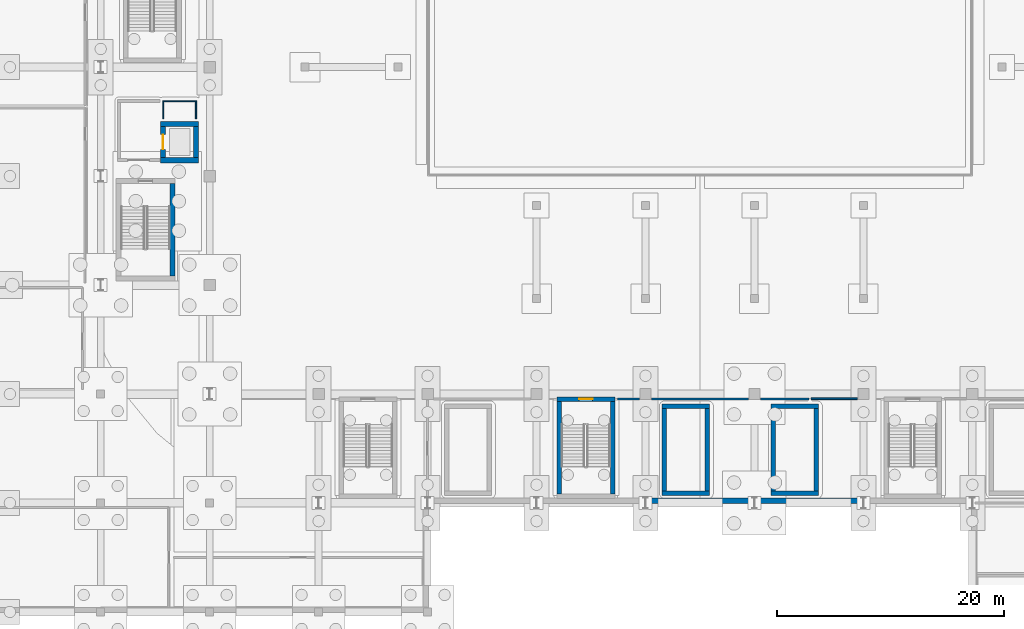
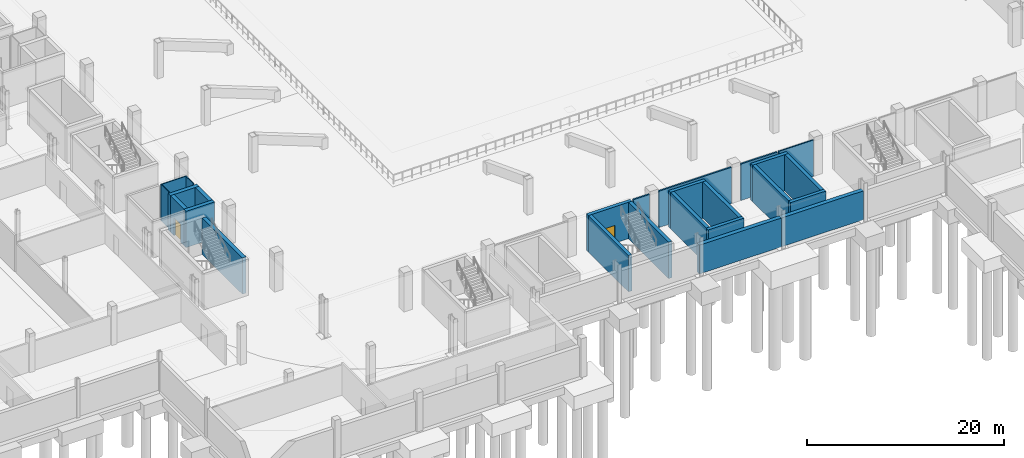
# One storey, part 28 of 67: 25 walls, 2 doors, 2 openings.
"""IFC4 building model written with IfcOpenShell, lengths in metres."""

from ifc_helpers import new_model, si_unit, direction, frame, frame_2d, origin, place, context, subcontext, project, spatial, rectangle, extrude, material, layer, layer_set, type_object, element, fill, save


model = new_model("IFC4")

# Units and contexts
model_context = context("Model", 3, precision=1e-05, world=origin(), true_north=direction((0.0, 1.0)))
body_context = subcontext(model_context, "Body", "Model", "MODEL_VIEW")
ifc_project = project(units=[si_unit("LENGTHUNIT", "METRE"), si_unit("AREAUNIT", "SQUARE_METRE"), si_unit("VOLUMEUNIT", "CUBIC_METRE"), si_unit("PLANEANGLEUNIT", "RADIAN"), si_unit("MASSUNIT", "GRAM", prefix="KILO")], contexts=[model_context])

# Site, building, storey
site_placement = place(None, origin())
site = spatial("IfcSite", under=ifc_project, at=site_placement, CompositionType="ELEMENT")
building_placement = place(site_placement, origin())
building = spatial("IfcBuilding", under=site, at=building_placement, Name="Caelomonte Colonnade Arena", CompositionType="ELEMENT")
storey_placement = place(building_placement, frame((0.0, 0.0, -4.800048828125)))
storey = spatial("IfcBuildingStorey", under=building, at=storey_placement, Name="B1", CompositionType="ELEMENT", Elevation=-4.800048828125)

# Walls
ifc_material_1 = material(Name="Concrete C40/50", Category="concrete")
ifc_layer_1 = layer(ifc_material_1, 0.47998046875)
ifc_layer_set_1 = layer_set([ifc_layer_1], Name="Concrete C40/50")
wall_type_1 = type_object("IfcWallType", Name="ENV-WL-RET48", PredefinedType="USERDEFINED", material=ifc_layer_set_1)
wall_1_placement = place(storey_placement, frame((105.60009765625, 19.3798828125, 0.0), z_axis=(0.0, 0.0, 1.0), x_axis=(1.0, 0.0, 0.0)))
element("IfcWall", 1, at=wall_1_placement, inside=storey, type_object=wall_type_1, Name="B1 exterior retaining plinth wall EW-B1-0014", ObjectType="RETAINING WALL", PredefinedType="USERDEFINED", context=body_context, shape_type="SweptSolid", body=[
    extrude(rectangle(XDim=9.599853515625, YDim=0.47998046875, at=frame_2d((4.7998046875, 0.0))), origin(), (0.0, 0.0, 1.0), 3.572998046875),
])
wall_2_placement = place(storey_placement, frame((115.199951171875, 19.3798828125, 0.0), z_axis=(0.0, 0.0, 1.0), x_axis=(1.0, 0.0, 0.0)))
element("IfcWall", 2, at=wall_2_placement, inside=storey, type_object=wall_type_1, Name="B1 exterior retaining plinth wall EW-B1-0015", ObjectType="RETAINING WALL", PredefinedType="USERDEFINED", context=body_context, shape_type="SweptSolid", body=[
    extrude(rectangle(XDim=9.60009765625, YDim=0.47998046875, at=frame_2d((4.800048828125, 0.0))), origin(), (0.0, 0.0, 1.0), 3.572998046875),
])
ifc_material_2 = material(Name="Service shaft lining partition")
ifc_layer_2 = layer(ifc_material_2, 0.10009765625)
ifc_layer_set_2 = layer_set([ifc_layer_2], Name="Service shaft lining partition")
wall_type_2 = type_object("IfcWallType", Name="INT-WL-PT10", PredefinedType="PARTITIONING", material=ifc_layer_set_2)
wall_3_placement = place(storey_placement, frame((66.050048828125, 54.60009765625, 0.0), z_axis=(0.0, 0.0, 1.0), x_axis=(-1.0, 0.0, 0.0)))
element("IfcWall", 3, at=wall_3_placement, inside=storey, type_object=wall_type_2, Name="FW-C1-RS B1 north enclosure wall", PredefinedType="PARTITIONING", context=body_context, shape_type="SweptSolid", body=[
    extrude(rectangle(XDim=3.0, YDim=0.10009765625, at=frame_2d((1.5, 0.0))), origin(), (0.0, 0.0, 1.0), 4.5),
])
for number, where, z_axis, x_axis, name in (
    (4, (63.10009765625, 54.550048828125, 0.0), (0.0, 0.0, 1.0), (0.0, -1.0, 0.0), "FW-C1-RS B1 west enclosure wall"),
    (5, (66.0, 53.050048828125, 0.0), (0.0, 0.0, 1.0), (0.0, 1.0, 0.0), "FW-C1-RS B1 east enclosure wall"),
):
    element("IfcWall", number, at=place(storey_placement, frame(where, z_axis=z_axis, x_axis=x_axis)), inside=storey, type_object=wall_type_2, Name=name, PredefinedType="PARTITIONING", context=body_context, shape_type="SweptSolid", body=[
        extrude(rectangle(XDim=1.5, YDim=0.10009765625, at=frame_2d((0.75, 0.0))), origin(), (0.0, 0.0, 1.0), 4.5),
    ])
ifc_material_3 = material(Name="Suite demising stud partition")
ifc_layer_3 = layer(ifc_material_3, 0.139892578125)
ifc_layer_set_3 = layer_set([ifc_layer_3], Name="Suite demising stud partition")
wall_type_3 = type_object("IfcWallType", Name="INT-WL-PT14", PredefinedType="PARTITIONING", material=ifc_layer_set_3)
wall_4_placement = place(storey_placement, frame((120.199951171875, 28.3798828125, 0.0), z_axis=(0.0, 0.0, 1.0), x_axis=(1.0, 0.0, 0.0)))
element("IfcWall", 6, at=wall_4_placement, inside=storey, type_object=wall_type_3, Name="B1 Officials Locker Suite partition 6", PredefinedType="PARTITIONING", context=body_context, shape_type="SweptSolid", body=[
    extrude(rectangle(XDim=4.06494140625, YDim=0.139892578125, at=frame_2d((2.032470703125, 0.0))), origin(), (0.0, 0.0, 1.0), 4.5),
])
ifc_material_4 = material(Name="Acoustic gypsum stud partition")
ifc_layer_4 = layer(ifc_material_4, 0.179931640625)
ifc_layer_set_4 = layer_set([ifc_layer_4], Name="Acoustic gypsum stud partition")
wall_type_4 = type_object("IfcWallType", Name="INT-WL-PT18", PredefinedType="PARTITIONING", material=ifc_layer_set_4)
wall_5_placement = place(storey_placement, frame((103.1484375, 28.3798828125, 0.0), z_axis=(0.0, 0.0, 1.0), x_axis=(1.0, 0.0, 0.0)))
element("IfcWall", 7, at=wall_5_placement, inside=storey, type_object=wall_type_4, Name="B1 Athlete Media Mix Zone partition 3", PredefinedType="PARTITIONING", context=body_context, shape_type="SweptSolid", body=[
    extrude(rectangle(XDim=1.91650390625, YDim=0.179931640625, at=frame_2d((0.958251953125, 0.0))), origin(), (0.0, 0.0, 1.0), 4.5),
])
wall_6_placement = place(storey_placement, frame((106.135009765625, 28.3798828125, 0.0), z_axis=(0.0, 0.0, 1.0), x_axis=(1.0, 0.0, 0.0)))
element("IfcWall", 8, at=wall_6_placement, inside=storey, type_object=wall_type_4, Name="B1 Athlete Media Mix Zone partition 4", PredefinedType="PARTITIONING", context=body_context, shape_type="SweptSolid", body=[
    extrude(rectangle(XDim=8.530029296875, YDim=0.179931640625, at=frame_2d((4.26513671875, 0.0))), origin(), (0.0, 0.0, 1.0), 4.5),
])
wall_7_placement = place(storey_placement, frame((115.735107421875, 28.3798828125, 0.0), z_axis=(0.0, 0.0, 1.0), x_axis=(1.0, 0.0, 0.0)))
element("IfcWall", 9, at=wall_7_placement, inside=storey, type_object=wall_type_4, Name="B1 Athlete Media Mix Zone partition 5", PredefinedType="PARTITIONING", context=body_context, shape_type="SweptSolid", body=[
    extrude(rectangle(XDim=4.264892578125, YDim=0.179931640625, at=frame_2d((2.13232421875, 0.0))), origin(), (0.0, 0.0, 1.0), 4.5),
])

# Wall, opening, door
ifc_material_5 = material(Name="Concrete C50/60", Category="concrete")
ifc_layer_5 = layer(ifc_material_5, 0.39990234375)
ifc_layer_set_5 = layer_set([ifc_layer_5], Name="Concrete C50/60")
wall_type_5 = type_object("IfcWallType", Name="INT-WL-SH40", PredefinedType="SHEAR", material=ifc_layer_set_5)
wall_8_placement = place(storey_placement, frame((102.89990234375, 28.35009765625, 0.0), z_axis=(0.0, 0.0, 1.0), x_axis=(-1.0, 0.0, 0.0)))
wall_8 = element("IfcWall", 10, at=wall_8_placement, inside=storey, type_object=wall_type_5, Name="CW-ST-12 B1 north enclosure wall", PredefinedType="SHEAR", context=body_context, shape_type="SweptSolid", body=[
    extrude(rectangle(XDim=5.099853515625, YDim=0.39990234375, at=frame_2d((2.5498046875, 0.0))), origin(), (0.0, 0.0, 1.0), 4.5),
])
opening_1_placement = place(wall_8_placement, frame((3.14990234375, 0.0, 0.0), z_axis=(0.0, 0.0, 1.0), x_axis=(-1.0, 0.0, 0.0)))
opening_1 = element("IfcOpeningElement", 11, at=opening_1_placement, cuts=wall_8, Name="Opening FD-1", PredefinedType="OPENING", context=body_context, shape_type="SweptSolid", body=[
    extrude(rectangle(XDim=1.199951171875, YDim=2.199951171875, at=frame_2d((0.60009765625, 1.10009765625))), frame((0.0, 0.2099609375, 0.0), z_axis=(0.0, -1.0, 0.0), x_axis=(1.0, 0.0, 0.0)), (0.0, 0.0, 1.0), 0.419921875),
])
ifc_material_6 = material(Name="Fire-rated steel door", Category="steel")
door_type_1 = type_object("IfcDoorType", Name="INT-DR-FD90A", OperationType="NOTDEFINED", PredefinedType="DOOR", material=ifc_material_6)
door_1_placement = place(opening_1_placement, origin())
door_1 = element("IfcDoor", 12, at=door_1_placement, inside=storey, type_object=door_type_1, Name="Protected exit stair ST-12 B1 fire door", OperationType="SINGLE_SWING_LEFT", OverallHeight=2.199951171875, OverallWidth=1.199951171875, PredefinedType="DOOR", context=body_context, shape_type="SweptSolid", body=[
    extrude(rectangle(XDim=1.199951171875, YDim=2.199951171875, at=frame_2d((0.60009765625, 1.10009765625))), frame((0.0, 0.02490234375, 0.0), z_axis=(0.0, -1.0, 0.0), x_axis=(1.0, 0.0, 0.0)), (0.0, 0.0, 1.0), 0.050048828125),
])
fill(opening_1, door_1)

# Walls
for number, where, z_axis, x_axis, name in (
    (13, (98.0, 28.14990234375, 0.0), (0.0, 0.0, 1.0), (0.0, -1.0, 0.0), "CW-ST-12 B1 west enclosure wall"),
    (14, (102.699951171875, 20.0, 0.0), (0.0, 0.0, 1.0), (0.0, 1.0, 0.0), "CW-ST-12 B1 east enclosure wall"),
):
    element("IfcWall", number, at=place(storey_placement, frame(where, z_axis=z_axis, x_axis=x_axis)), inside=storey, type_object=wall_type_5, Name=name, PredefinedType="SHEAR", context=body_context, shape_type="SweptSolid", body=[
        extrude(rectangle(XDim=8.14990234375, YDim=0.39990234375, at=frame_2d((4.074951171875, 0.0))), origin(), (0.0, 0.0, 1.0), 4.5),
    ])
for number, where, z_axis, x_axis, name in (
    (15, (107.070068359375, 20.070068359375, 0.0), (0.0, 0.0, 1.0), (1.0, 0.0, 0.0), "CW-ST-V02 B1 south enclosure wall"),
    (16, (111.22998046875, 27.72998046875, 0.0), (0.0, 0.0, 1.0), (-1.0, 0.0, 0.0), "CW-ST-V02 B1 north enclosure wall"),
):
    element("IfcWall", number, at=place(storey_placement, frame(where, z_axis=z_axis, x_axis=x_axis)), inside=storey, type_object=wall_type_5, Name=name, PredefinedType="SHEAR", context=body_context, shape_type="SweptSolid", body=[
        extrude(rectangle(XDim=4.159912109375, YDim=0.39990234375, at=frame_2d((2.080078125, 0.0))), origin(), (0.0, 0.0, 1.0), 4.5),
    ])
for number, where, z_axis, x_axis, name in (
    (17, (107.27001953125, 27.530029296875, 0.0), (0.0, 0.0, 1.0), (0.0, -1.0, 0.0), "CW-ST-V02 B1 west enclosure wall"),
    (18, (111.030029296875, 20.27001953125, 0.0), (0.0, 0.0, 1.0), (0.0, 1.0, 0.0), "CW-ST-V02 B1 east enclosure wall"),
):
    element("IfcWall", number, at=place(storey_placement, frame(where, z_axis=z_axis, x_axis=x_axis)), inside=storey, type_object=wall_type_5, Name=name, PredefinedType="SHEAR", context=body_context, shape_type="SweptSolid", body=[
        extrude(rectangle(XDim=7.260009765625, YDim=0.39990234375, at=frame_2d((3.6298828125, 0.0))), origin(), (0.0, 0.0, 1.0), 4.5),
    ])
for number, where, z_axis, x_axis, name in (
    (19, (116.669921875, 20.070068359375, 0.0), (0.0, 0.0, 1.0), (1.0, 0.0, 0.0), "CW-ST-V03 B1 south enclosure wall"),
    (20, (120.830078125, 27.72998046875, 0.0), (0.0, 0.0, 1.0), (-1.0, 0.0, 0.0), "CW-ST-V03 B1 north enclosure wall"),
):
    element("IfcWall", number, at=place(storey_placement, frame(where, z_axis=z_axis, x_axis=x_axis)), inside=storey, type_object=wall_type_5, Name=name, PredefinedType="SHEAR", context=body_context, shape_type="SweptSolid", body=[
        extrude(rectangle(XDim=4.16015625, YDim=0.39990234375, at=frame_2d((2.080078125, 0.0))), origin(), (0.0, 0.0, 1.0), 4.5),
    ])
for number, where, z_axis, x_axis, name in (
    (21, (116.8701171875, 27.530029296875, 0.0), (0.0, 0.0, 1.0), (0.0, -1.0, 0.0), "CW-ST-V03 B1 west enclosure wall"),
    (22, (120.6298828125, 20.27001953125, 0.0), (0.0, 0.0, 1.0), (0.0, 1.0, 0.0), "CW-ST-V03 B1 east enclosure wall"),
):
    element("IfcWall", number, at=place(storey_placement, frame(where, z_axis=z_axis, x_axis=x_axis)), inside=storey, type_object=wall_type_5, Name=name, PredefinedType="SHEAR", context=body_context, shape_type="SweptSolid", body=[
        extrude(rectangle(XDim=7.260009765625, YDim=0.39990234375, at=frame_2d((3.6298828125, 0.0))), origin(), (0.0, 0.0, 1.0), 4.5),
    ])
ifc_layer_6 = layer(ifc_material_5, 0.449951171875)
ifc_layer_set_6 = layer_set([ifc_layer_6], Name="Concrete C50/60")
wall_type_6 = type_object("IfcWallType", Name="INT-WL-SH45", PredefinedType="SHEAR", material=ifc_layer_set_6)
wall_9_placement = place(storey_placement, frame((63.925048828125, 39.199951171875, 0.0), z_axis=(0.0, 0.0, 1.0), x_axis=(0.0, 1.0, 0.0)))
element("IfcWall", 23, at=wall_9_placement, inside=storey, type_object=wall_type_6, Name="CW-C1-ST B1 east enclosure wall", PredefinedType="SHEAR", context=body_context, shape_type="SweptSolid", body=[
    extrude(rectangle(XDim=8.150146484375, YDim=0.449951171875, at=frame_2d((4.0751953125, 0.0))), origin(), (0.0, 0.0, 1.0), 4.5),
])
for number, where, z_axis, x_axis, name in (
    (24, (62.875, 49.39990234375, 0.0), (0.0, 0.0, 1.0), (1.0, 0.0, 0.0), "CW-C1-LF B1 south enclosure wall"),
    (25, (66.22509765625, 52.60009765625, 0.0), (0.0, 0.0, 1.0), (-1.0, 0.0, 0.0), "CW-C1-LF B1 north enclosure wall"),
):
    element("IfcWall", number, at=place(storey_placement, frame(where, z_axis=z_axis, x_axis=x_axis)), inside=storey, type_object=wall_type_6, Name=name, PredefinedType="SHEAR", context=body_context, shape_type="SweptSolid", body=[
        extrude(rectangle(XDim=3.35009765625, YDim=0.449951171875, at=frame_2d((1.675048828125, 0.0))), origin(), (0.0, 0.0, 1.0), 4.5),
    ])

# Wall, opening, door
wall_10_placement = place(storey_placement, frame((63.10009765625, 52.375, 0.0), z_axis=(0.0, 0.0, 1.0), x_axis=(0.0, -1.0, 0.0)))
wall_10 = element("IfcWall", 26, at=wall_10_placement, inside=storey, type_object=wall_type_6, Name="CW-C1-LF B1 west enclosure wall", PredefinedType="SHEAR", context=body_context, shape_type="SweptSolid", body=[
    extrude(rectangle(XDim=2.75, YDim=0.449951171875, at=frame_2d((1.375, 0.0))), origin(), (0.0, 0.0, 1.0), 4.5),
])
opening_2_placement = place(wall_10_placement, frame((0.72509765625, 0.0, 0.0), z_axis=(0.0, 0.0, 1.0), x_axis=(1.0, 0.0, 0.0)))
opening_2 = element("IfcOpeningElement", 27, at=opening_2_placement, cuts=wall_10, Name="Opening LD-FL-01-B1", PredefinedType="OPENING", context=body_context, shape_type="SweptSolid", body=[
    extrude(rectangle(XDim=1.300048828125, YDim=2.25, at=frame_2d((0.64990234375, 1.125))), frame((0.0, 0.23486328125, 0.0), z_axis=(0.0, -1.0, 0.0), x_axis=(1.0, 0.0, 0.0)), (0.0, 0.0, 1.0), 0.469970703125),
])
ifc_material_7 = material(Name="Firefighting lift landing door")
door_type_2 = type_object("IfcDoorType", Name="INT-DR-LD2", OperationType="SLIDING_TO_RIGHT", PredefinedType="DOOR", material=ifc_material_7)
door_2_placement = place(opening_2_placement, origin())
door_2 = element("IfcDoor", 28, at=door_2_placement, inside=storey, type_object=door_type_2, Name="Lift FL-01 B1 sliding landing door", OperationType="SLIDING_TO_RIGHT", OverallHeight=2.25, OverallWidth=1.300048828125, PredefinedType="DOOR", context=body_context, shape_type="SweptSolid", body=[
    extrude(rectangle(XDim=1.300048828125, YDim=2.25, at=frame_2d((0.64990234375, 1.125))), frame((0.0, 0.02490234375, 0.0), z_axis=(0.0, -1.0, 0.0), x_axis=(1.0, 0.0, 0.0)), (0.0, 0.0, 1.0), 0.050048828125),
])
fill(opening_2, door_2)

# Wall
wall_11_placement = place(storey_placement, frame((66.0, 49.625, 0.0), z_axis=(0.0, 0.0, 1.0), x_axis=(0.0, 1.0, 0.0)))
element("IfcWall", 29, at=wall_11_placement, inside=storey, type_object=wall_type_6, Name="CW-C1-LF B1 east enclosure wall", PredefinedType="SHEAR", context=body_context, shape_type="SweptSolid", body=[
    extrude(rectangle(XDim=2.75, YDim=0.449951171875, at=frame_2d((1.375, 0.0))), origin(), (0.0, 0.0, 1.0), 4.5),
])

save(model, "model.ifc")
